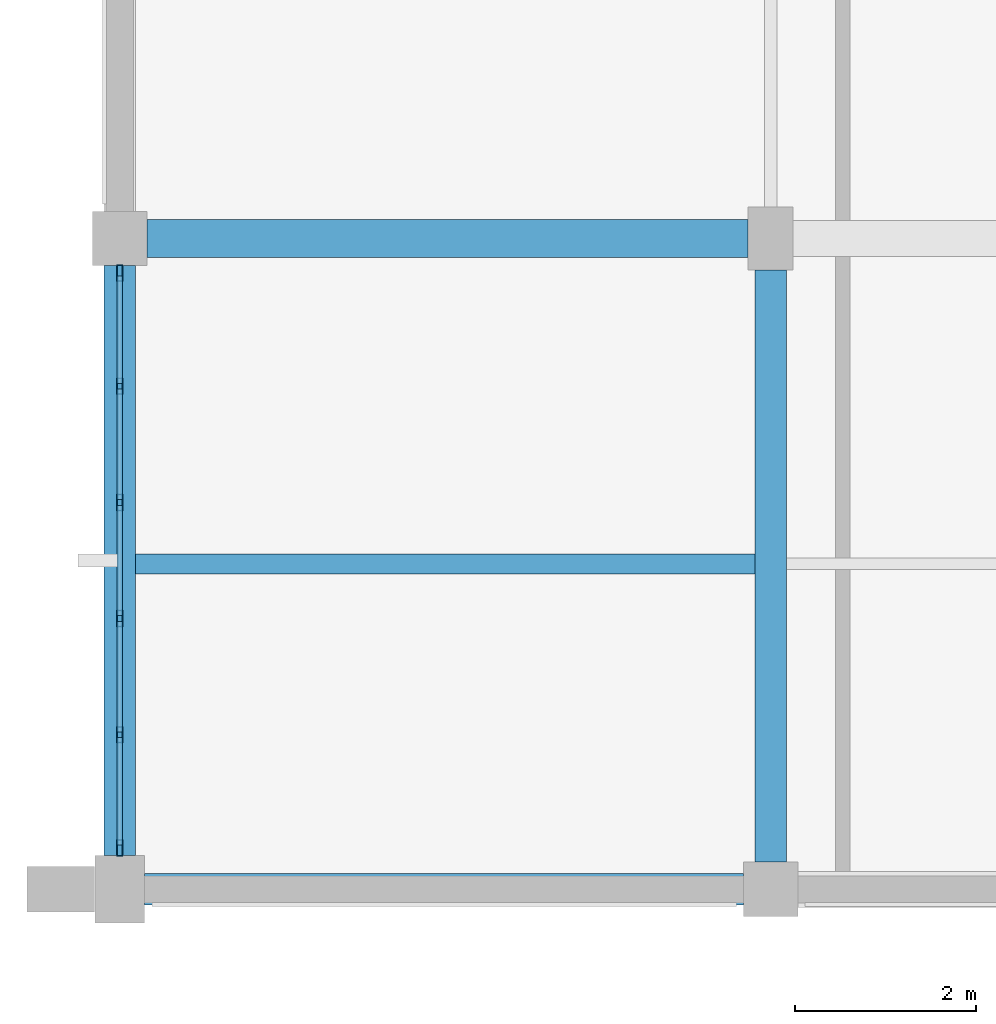
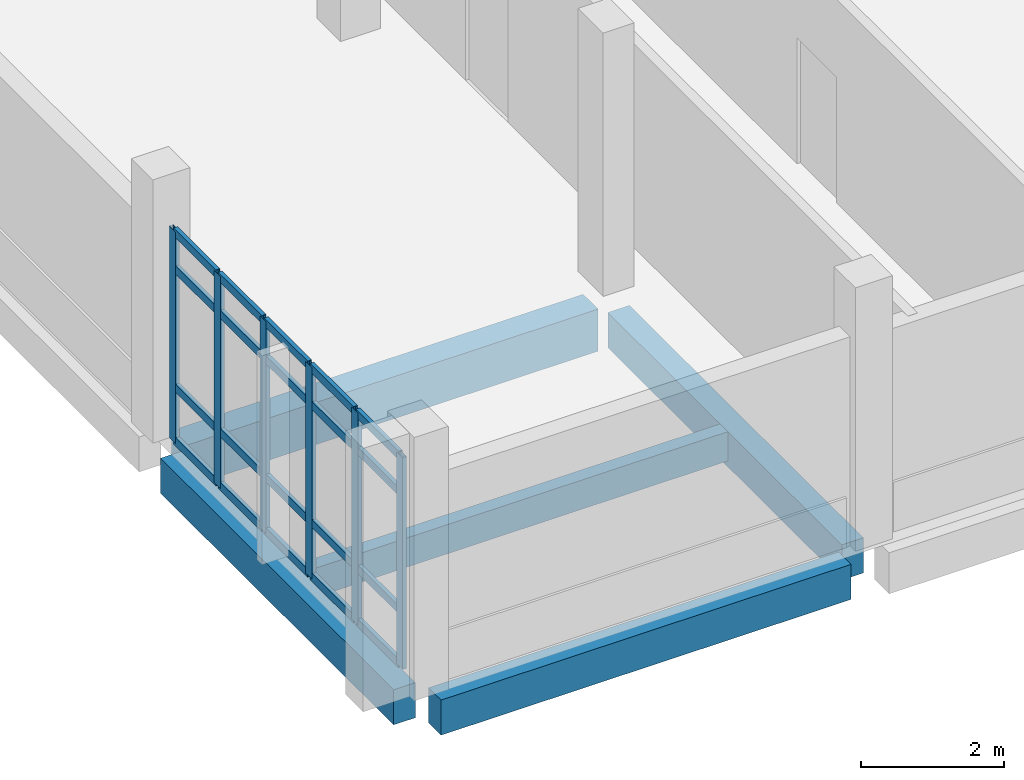
# One storey, part 9 of 116: 26 members, 5 beams, 1 element without a shape of its own.
"""IFC4 building model written with IfcOpenShell, lengths in metres."""

from ifc_helpers import new_model, si_unit, direction, frame, origin, origin_2d, place, context, subcontext, project, spatial, rectangle, hollow_rectangle, extrude, material, material_profile, profile_set, type_object, element, aggregate, save


model = new_model("IFC4")

# Units and contexts
model_context = context("Model", 3, precision=1e-05, world=origin(), true_north=direction((0.0, 1.0)))
body_context = subcontext(model_context, "Body", "Model", "MODEL_VIEW")
ifc_project = project(units=[si_unit("LENGTHUNIT", "METRE"), si_unit("AREAUNIT", "SQUARE_METRE"), si_unit("VOLUMEUNIT", "CUBIC_METRE"), si_unit("PLANEANGLEUNIT", "RADIAN"), si_unit("MASSUNIT", "GRAM", prefix="KILO")], contexts=[model_context])

# Site, building, storey
site_placement = place(None, origin())
site = spatial("IfcSite", under=ifc_project, at=site_placement, CompositionType="ELEMENT")
building_placement = place(site_placement, origin())
building = spatial("IfcBuilding", under=site, at=building_placement, Name="Kalluvel Institute of Natural Sciences", CompositionType="ELEMENT")
storey_placement = place(building_placement, frame((0.0, 0.0, 14.39990234375)))
storey = spatial("IfcBuildingStorey", under=building, at=storey_placement, Name="L03", CompositionType="ELEMENT", Elevation=14.39990234375)

# Beams
ifc_material_1 = material(Name="Concrete M40", Category="concrete")
ifc_material_profile_1 = material_profile(ifc_material_1, rectangle(XDim=0.35009765625, YDim=0.60009765625, at=origin_2d()), Name="RCB 350x600")
ifc_profile_set_1 = profile_set([ifc_material_profile_1], Name="Concrete M40")
beam_type_1 = type_object("IfcBeamType", Name="BM-RC350x600", PredefinedType="BEAM", material=ifc_profile_set_1)
beam_1_placement = place(storey_placement, frame((21.199951171875, 14.300048828125, -0.599853515625), z_axis=(0.0, 1.0, 0.0), x_axis=(-1.0, 0.0, 0.0)))
element("IfcBeam", 1, at=beam_1_placement, inside=storey, type_object=beam_type_1, Name="L03 girder GIR-L03-NS-X212-Y140", PredefinedType="BEAM", context=body_context, shape_type="SweptSolid", body=[
    extrude(rectangle(XDim=0.35009765625, YDim=0.60009765625, at=origin_2d()), origin(), (0.0, 0.0, 1.0), 6.550048828125),
])
ifc_material_profile_2 = material_profile(ifc_material_1, rectangle(XDim=0.419921875, YDim=0.719970703125, at=origin_2d()), Name="RCB 420x720")
ifc_profile_set_2 = profile_set([ifc_material_profile_2], Name="Concrete M40")
beam_type_2 = type_object("IfcBeamType", Name="BM-RC420x720", PredefinedType="BEAM", material=ifc_profile_set_2)
beam_2_placement = place(storey_placement, frame((14.300048828125, 21.199951171875, -0.659912109375), z_axis=(1.0, 0.0, 0.0), x_axis=(0.0, 1.0, 0.0)))
element("IfcBeam", 2, at=beam_2_placement, inside=storey, type_object=beam_type_2, Name="L03 girder GIR-L03-EW-X140-Y212", PredefinedType="BEAM", context=body_context, shape_type="SweptSolid", body=[
    extrude(rectangle(XDim=0.419921875, YDim=0.719970703125, at=origin_2d()), origin(), (0.0, 0.0, 1.0), 6.64990234375),
])

# Curtain wall, members
ifc_material_2 = material(Name="Aluminium AW-6063 T6", Category="aluminium")
curtain_wall_type = type_object("IfcCurtainWallType", Name="CW-DRY-45", PredefinedType="USERDEFINED", material=ifc_material_2)
curtain_wall_placement = place(storey_placement, origin())
curtain_wall = element("IfcCurtainWall", 3, at=curtain_wall_placement, inside=storey, type_object=curtain_wall_type, Name="L03 Gothic lancet curtain wall CWA-L03-X140-Y144", ObjectType="UNITISED LANCET FACADE", PredefinedType="USERDEFINED")
ifc_material_profile_3 = material_profile(ifc_material_2, hollow_rectangle(XDim=0.06494140625, YDim=0.179931640625, WallThickness=0.00439453125, at=origin_2d()), Name="CWM 65x180")
ifc_profile_set_3 = profile_set([ifc_material_profile_3], Name="Aluminium AW-6063 T6")
member_type_1 = type_object("IfcMemberType", Name="CWM-65x180", PredefinedType="MULLION", material=ifc_profile_set_3)
member_1_placement = place(storey_placement, frame((14.0, 14.45751953125, 0.0), z_axis=(0.0, 0.0, 1.0), x_axis=(-1.0, 0.0, 0.0)))
member_1 = element("IfcMember", 4, at=member_1_placement, type_object=member_type_1, Name="CW-03 mullion 1", PredefinedType="MULLION", context=body_context, shape_type="SweptSolid", body=[
    extrude(hollow_rectangle(XDim=0.06494140625, YDim=0.179931640625, WallThickness=0.00439453125, at=origin_2d()), origin(), (0.0, 0.0, 1.0), 3.6201171875),
])
member_2_placement = place(storey_placement, frame((14.0, 15.7099609375, 0.0), z_axis=(0.0, 0.0, 1.0), x_axis=(-1.0, 0.0, 0.0)))
member_2 = element("IfcMember", 5, at=member_2_placement, type_object=member_type_1, Name="CW-03 mullion 2", PredefinedType="MULLION", context=body_context, shape_type="SweptSolid", body=[
    extrude(hollow_rectangle(XDim=0.06494140625, YDim=0.179931640625, WallThickness=0.00439453125, at=origin_2d()), origin(), (0.0, 0.0, 1.0), 3.6201171875),
])
member_3_placement = place(storey_placement, frame((14.0, 16.9951171875, 0.0), z_axis=(0.0, 0.0, 1.0), x_axis=(-1.0, 0.0, 0.0)))
member_3 = element("IfcMember", 6, at=member_3_placement, type_object=member_type_1, Name="CW-03 mullion 3", PredefinedType="MULLION", context=body_context, shape_type="SweptSolid", body=[
    extrude(hollow_rectangle(XDim=0.06494140625, YDim=0.179931640625, WallThickness=0.00439453125, at=origin_2d()), origin(), (0.0, 0.0, 1.0), 3.6201171875),
])
member_4_placement = place(storey_placement, frame((14.0, 18.280029296875, 0.0), z_axis=(0.0, 0.0, 1.0), x_axis=(-1.0, 0.0, 0.0)))
member_4 = element("IfcMember", 7, at=member_4_placement, type_object=member_type_1, Name="CW-03 mullion 4", PredefinedType="MULLION", context=body_context, shape_type="SweptSolid", body=[
    extrude(hollow_rectangle(XDim=0.06494140625, YDim=0.179931640625, WallThickness=0.00439453125, at=origin_2d()), origin(), (0.0, 0.0, 1.0), 3.6201171875),
])
member_5_placement = place(storey_placement, frame((14.0, 19.56494140625, 0.0), z_axis=(0.0, 0.0, 1.0), x_axis=(-1.0, 0.0, 0.0)))
member_5 = element("IfcMember", 8, at=member_5_placement, type_object=member_type_1, Name="CW-03 mullion 5", PredefinedType="MULLION", context=body_context, shape_type="SweptSolid", body=[
    extrude(hollow_rectangle(XDim=0.06494140625, YDim=0.179931640625, WallThickness=0.00439453125, at=origin_2d()), origin(), (0.0, 0.0, 1.0), 3.6201171875),
])
member_6_placement = place(storey_placement, frame((14.0, 20.8173828125, 0.0), z_axis=(0.0, 0.0, 1.0), x_axis=(-1.0, 0.0, 0.0)))
member_6 = element("IfcMember", 9, at=member_6_placement, type_object=member_type_1, Name="CW-03 mullion 6", PredefinedType="MULLION", context=body_context, shape_type="SweptSolid", body=[
    extrude(hollow_rectangle(XDim=0.06494140625, YDim=0.179931640625, WallThickness=0.00439453125, at=origin_2d()), origin(), (0.0, 0.0, 1.0), 3.6201171875),
])
ifc_material_profile_4 = material_profile(ifc_material_2, hollow_rectangle(XDim=0.06494140625, YDim=0.139892578125, WallThickness=0.00439453125, at=origin_2d()), Name="CWT 65x140")
ifc_profile_set_4 = profile_set([ifc_material_profile_4], Name="Aluminium AW-6063 T6")
member_type_2 = type_object("IfcMemberType", Name="CWT-65x140", PredefinedType="USERDEFINED", material=ifc_profile_set_4)
member_7_placement = place(storey_placement, frame((14.0, 14.489990234375, 0.03271484375), z_axis=(0.0, 1.0, 0.0), x_axis=(-1.0, 0.0, 0.0)))
member_7 = element("IfcMember", 10, at=member_7_placement, type_object=member_type_2, Name="CW-03 transom 1.1", ObjectType="TRANSOM", PredefinedType="USERDEFINED", context=body_context, shape_type="SweptSolid", body=[
    extrude(hollow_rectangle(XDim=0.06494140625, YDim=0.139892578125, WallThickness=0.00439453125, at=origin_2d()), origin(), (0.0, 0.0, 1.0), 1.1875),
])
member_8_placement = place(storey_placement, frame((14.0, 14.489990234375, 0.9501953125), z_axis=(0.0, 1.0, 0.0), x_axis=(-1.0, 0.0, 0.0)))
member_8 = element("IfcMember", 11, at=member_8_placement, type_object=member_type_2, Name="CW-03 transom 1.2", ObjectType="TRANSOM", PredefinedType="USERDEFINED", context=body_context, shape_type="SweptSolid", body=[
    extrude(hollow_rectangle(XDim=0.06494140625, YDim=0.139892578125, WallThickness=0.00439453125, at=origin_2d()), origin(), (0.0, 0.0, 1.0), 1.1875),
])
member_9_placement = place(storey_placement, frame((14.0, 14.489990234375, 2.97021484375), z_axis=(0.0, 1.0, 0.0), x_axis=(-1.0, 0.0, 0.0)))
member_9 = element("IfcMember", 12, at=member_9_placement, type_object=member_type_2, Name="CW-03 transom 1.3", ObjectType="TRANSOM", PredefinedType="USERDEFINED", context=body_context, shape_type="SweptSolid", body=[
    extrude(hollow_rectangle(XDim=0.06494140625, YDim=0.139892578125, WallThickness=0.00439453125, at=origin_2d()), origin(), (0.0, 0.0, 1.0), 1.1875),
])
member_10_placement = place(storey_placement, frame((14.0, 14.489990234375, 3.587646484375), z_axis=(0.0, 1.0, 0.0), x_axis=(-1.0, 0.0, 0.0)))
member_10 = element("IfcMember", 13, at=member_10_placement, type_object=member_type_2, Name="CW-03 transom 1.4", ObjectType="TRANSOM", PredefinedType="USERDEFINED", context=body_context, shape_type="SweptSolid", body=[
    extrude(hollow_rectangle(XDim=0.06494140625, YDim=0.139892578125, WallThickness=0.00439453125, at=origin_2d()), origin(), (0.0, 0.0, 1.0), 1.1875),
])
member_11_placement = place(storey_placement, frame((14.0, 15.742431640625, 0.03271484375), z_axis=(0.0, 1.0, 0.0), x_axis=(-1.0, 0.0, 0.0)))
member_11 = element("IfcMember", 14, at=member_11_placement, type_object=member_type_2, Name="CW-03 transom 2.1", ObjectType="TRANSOM", PredefinedType="USERDEFINED", context=body_context, shape_type="SweptSolid", body=[
    extrude(hollow_rectangle(XDim=0.06494140625, YDim=0.139892578125, WallThickness=0.00439453125, at=origin_2d()), origin(), (0.0, 0.0, 1.0), 1.219970703125),
])
member_12_placement = place(storey_placement, frame((14.0, 15.742431640625, 0.9501953125), z_axis=(0.0, 1.0, 0.0), x_axis=(-1.0, 0.0, 0.0)))
member_12 = element("IfcMember", 15, at=member_12_placement, type_object=member_type_2, Name="CW-03 transom 2.2", ObjectType="TRANSOM", PredefinedType="USERDEFINED", context=body_context, shape_type="SweptSolid", body=[
    extrude(hollow_rectangle(XDim=0.06494140625, YDim=0.139892578125, WallThickness=0.00439453125, at=origin_2d()), origin(), (0.0, 0.0, 1.0), 1.219970703125),
])
member_13_placement = place(storey_placement, frame((14.0, 15.742431640625, 2.97021484375), z_axis=(0.0, 1.0, 0.0), x_axis=(-1.0, 0.0, 0.0)))
member_13 = element("IfcMember", 16, at=member_13_placement, type_object=member_type_2, Name="CW-03 transom 2.3", ObjectType="TRANSOM", PredefinedType="USERDEFINED", context=body_context, shape_type="SweptSolid", body=[
    extrude(hollow_rectangle(XDim=0.06494140625, YDim=0.139892578125, WallThickness=0.00439453125, at=origin_2d()), origin(), (0.0, 0.0, 1.0), 1.219970703125),
])
member_14_placement = place(storey_placement, frame((14.0, 15.742431640625, 3.587646484375), z_axis=(0.0, 1.0, 0.0), x_axis=(-1.0, 0.0, 0.0)))
member_14 = element("IfcMember", 17, at=member_14_placement, type_object=member_type_2, Name="CW-03 transom 2.4", ObjectType="TRANSOM", PredefinedType="USERDEFINED", context=body_context, shape_type="SweptSolid", body=[
    extrude(hollow_rectangle(XDim=0.06494140625, YDim=0.139892578125, WallThickness=0.00439453125, at=origin_2d()), origin(), (0.0, 0.0, 1.0), 1.219970703125),
])
member_15_placement = place(storey_placement, frame((14.0, 17.027587890625, 0.03271484375), z_axis=(0.0, 1.0, 0.0), x_axis=(-1.0, 0.0, 0.0)))
member_15 = element("IfcMember", 18, at=member_15_placement, type_object=member_type_2, Name="CW-03 transom 3.1", ObjectType="TRANSOM", PredefinedType="USERDEFINED", context=body_context, shape_type="SweptSolid", body=[
    extrude(hollow_rectangle(XDim=0.06494140625, YDim=0.139892578125, WallThickness=0.00439453125, at=origin_2d()), origin(), (0.0, 0.0, 1.0), 1.219970703125),
])
member_16_placement = place(storey_placement, frame((14.0, 17.027587890625, 0.9501953125), z_axis=(0.0, 1.0, 0.0), x_axis=(-1.0, 0.0, 0.0)))
member_16 = element("IfcMember", 19, at=member_16_placement, type_object=member_type_2, Name="CW-03 transom 3.2", ObjectType="TRANSOM", PredefinedType="USERDEFINED", context=body_context, shape_type="SweptSolid", body=[
    extrude(hollow_rectangle(XDim=0.06494140625, YDim=0.139892578125, WallThickness=0.00439453125, at=origin_2d()), origin(), (0.0, 0.0, 1.0), 1.219970703125),
])
member_17_placement = place(storey_placement, frame((14.0, 17.027587890625, 2.97021484375), z_axis=(0.0, 1.0, 0.0), x_axis=(-1.0, 0.0, 0.0)))
member_17 = element("IfcMember", 20, at=member_17_placement, type_object=member_type_2, Name="CW-03 transom 3.3", ObjectType="TRANSOM", PredefinedType="USERDEFINED", context=body_context, shape_type="SweptSolid", body=[
    extrude(hollow_rectangle(XDim=0.06494140625, YDim=0.139892578125, WallThickness=0.00439453125, at=origin_2d()), origin(), (0.0, 0.0, 1.0), 1.219970703125),
])
member_18_placement = place(storey_placement, frame((14.0, 17.027587890625, 3.587646484375), z_axis=(0.0, 1.0, 0.0), x_axis=(-1.0, 0.0, 0.0)))
member_18 = element("IfcMember", 21, at=member_18_placement, type_object=member_type_2, Name="CW-03 transom 3.4", ObjectType="TRANSOM", PredefinedType="USERDEFINED", context=body_context, shape_type="SweptSolid", body=[
    extrude(hollow_rectangle(XDim=0.06494140625, YDim=0.139892578125, WallThickness=0.00439453125, at=origin_2d()), origin(), (0.0, 0.0, 1.0), 1.219970703125),
])
member_19_placement = place(storey_placement, frame((14.0, 18.3125, 0.03271484375), z_axis=(0.0, 1.0, 0.0), x_axis=(-1.0, 0.0, 0.0)))
member_19 = element("IfcMember", 22, at=member_19_placement, type_object=member_type_2, Name="CW-03 transom 4.1", ObjectType="TRANSOM", PredefinedType="USERDEFINED", context=body_context, shape_type="SweptSolid", body=[
    extrude(hollow_rectangle(XDim=0.06494140625, YDim=0.139892578125, WallThickness=0.00439453125, at=origin_2d()), origin(), (0.0, 0.0, 1.0), 1.219970703125),
])
member_20_placement = place(storey_placement, frame((14.0, 18.3125, 0.9501953125), z_axis=(0.0, 1.0, 0.0), x_axis=(-1.0, 0.0, 0.0)))
member_20 = element("IfcMember", 23, at=member_20_placement, type_object=member_type_2, Name="CW-03 transom 4.2", ObjectType="TRANSOM", PredefinedType="USERDEFINED", context=body_context, shape_type="SweptSolid", body=[
    extrude(hollow_rectangle(XDim=0.06494140625, YDim=0.139892578125, WallThickness=0.00439453125, at=origin_2d()), origin(), (0.0, 0.0, 1.0), 1.219970703125),
])
member_21_placement = place(storey_placement, frame((14.0, 18.3125, 2.97021484375), z_axis=(0.0, 1.0, 0.0), x_axis=(-1.0, 0.0, 0.0)))
member_21 = element("IfcMember", 24, at=member_21_placement, type_object=member_type_2, Name="CW-03 transom 4.3", ObjectType="TRANSOM", PredefinedType="USERDEFINED", context=body_context, shape_type="SweptSolid", body=[
    extrude(hollow_rectangle(XDim=0.06494140625, YDim=0.139892578125, WallThickness=0.00439453125, at=origin_2d()), origin(), (0.0, 0.0, 1.0), 1.219970703125),
])
member_22_placement = place(storey_placement, frame((14.0, 18.3125, 3.587646484375), z_axis=(0.0, 1.0, 0.0), x_axis=(-1.0, 0.0, 0.0)))
member_22 = element("IfcMember", 25, at=member_22_placement, type_object=member_type_2, Name="CW-03 transom 4.4", ObjectType="TRANSOM", PredefinedType="USERDEFINED", context=body_context, shape_type="SweptSolid", body=[
    extrude(hollow_rectangle(XDim=0.06494140625, YDim=0.139892578125, WallThickness=0.00439453125, at=origin_2d()), origin(), (0.0, 0.0, 1.0), 1.219970703125),
])
member_23_placement = place(storey_placement, frame((14.0, 19.597412109375, 0.03271484375), z_axis=(0.0, 1.0, 0.0), x_axis=(-1.0, 0.0, 0.0)))
member_23 = element("IfcMember", 26, at=member_23_placement, type_object=member_type_2, Name="CW-03 transom 5.1", ObjectType="TRANSOM", PredefinedType="USERDEFINED", context=body_context, shape_type="SweptSolid", body=[
    extrude(hollow_rectangle(XDim=0.06494140625, YDim=0.139892578125, WallThickness=0.00439453125, at=origin_2d()), origin(), (0.0, 0.0, 1.0), 1.1875),
])
member_24_placement = place(storey_placement, frame((14.0, 19.597412109375, 0.9501953125), z_axis=(0.0, 1.0, 0.0), x_axis=(-1.0, 0.0, 0.0)))
member_24 = element("IfcMember", 27, at=member_24_placement, type_object=member_type_2, Name="CW-03 transom 5.2", ObjectType="TRANSOM", PredefinedType="USERDEFINED", context=body_context, shape_type="SweptSolid", body=[
    extrude(hollow_rectangle(XDim=0.06494140625, YDim=0.139892578125, WallThickness=0.00439453125, at=origin_2d()), origin(), (0.0, 0.0, 1.0), 1.1875),
])
member_25_placement = place(storey_placement, frame((14.0, 19.597412109375, 2.97021484375), z_axis=(0.0, 1.0, 0.0), x_axis=(-1.0, 0.0, 0.0)))
member_25 = element("IfcMember", 28, at=member_25_placement, type_object=member_type_2, Name="CW-03 transom 5.3", ObjectType="TRANSOM", PredefinedType="USERDEFINED", context=body_context, shape_type="SweptSolid", body=[
    extrude(hollow_rectangle(XDim=0.06494140625, YDim=0.139892578125, WallThickness=0.00439453125, at=origin_2d()), origin(), (0.0, 0.0, 1.0), 1.1875),
])
member_26_placement = place(storey_placement, frame((14.0, 19.597412109375, 3.587646484375), z_axis=(0.0, 1.0, 0.0), x_axis=(-1.0, 0.0, 0.0)))
member_26 = element("IfcMember", 29, at=member_26_placement, type_object=member_type_2, Name="CW-03 transom 5.4", ObjectType="TRANSOM", PredefinedType="USERDEFINED", context=body_context, shape_type="SweptSolid", body=[
    extrude(hollow_rectangle(XDim=0.06494140625, YDim=0.139892578125, WallThickness=0.00439453125, at=origin_2d()), origin(), (0.0, 0.0, 1.0), 1.1875),
])
aggregate(curtain_wall, [member_1, member_2, member_3, member_4, member_5, member_6, member_7, member_8, member_9, member_10, member_11, member_12, member_13, member_14, member_15, member_16, member_17, member_18, member_19, member_20, member_21, member_22, member_23, member_24, member_25, member_26])

# Beams
ifc_material_profile_5 = material_profile(ifc_material_1, rectangle(XDim=0.35009765625, YDim=0.60009765625, at=origin_2d()), Name="RCB 350x600")
ifc_profile_set_5 = profile_set([ifc_material_profile_5], Name="Concrete M40")
beam_type_3 = type_object("IfcBeamType", Name="SP-RC350x600", PredefinedType="SPANDREL", material=ifc_profile_set_5)
beam_3_placement = place(storey_placement, frame((14.27490234375, 14.0, -0.599853515625), z_axis=(1.0, 0.0, 0.0), x_axis=(0.0, 1.0, 0.0)))
element("IfcBeam", 30, at=beam_3_placement, inside=storey, type_object=beam_type_3, Name="L03 girder GIR-L03-EW-X140-Y140", PredefinedType="SPANDREL", context=body_context, shape_type="SweptSolid", body=[
    extrude(rectangle(XDim=0.35009765625, YDim=0.60009765625, at=origin_2d()), origin(), (0.0, 0.0, 1.0), 6.625),
])
beam_4_placement = place(storey_placement, frame((14.0, 14.375, -0.599853515625), z_axis=(0.0, 1.0, 0.0), x_axis=(-1.0, 0.0, 0.0)))
element("IfcBeam", 31, at=beam_4_placement, inside=storey, type_object=beam_type_3, Name="L03 girder GIR-L03-NS-X140-Y140", PredefinedType="SPANDREL", context=body_context, shape_type="SweptSolid", body=[
    extrude(rectangle(XDim=0.35009765625, YDim=0.60009765625, at=origin_2d()), origin(), (0.0, 0.0, 1.0), 6.52490234375),
])
ifc_material_profile_6 = material_profile(ifc_material_1, rectangle(XDim=0.219970703125, YDim=0.5, at=origin_2d()), Name="WAF 220x500")
ifc_profile_set_6 = profile_set([ifc_material_profile_6], Name="Concrete M40")
beam_type_4 = type_object("IfcBeamType", Name="WJ-220x500", PredefinedType="JOIST", material=ifc_profile_set_6)
beam_5_placement = place(storey_placement, frame((14.175048828125, 17.60009765625, -0.5498046875), z_axis=(1.0, 0.0, 0.0), x_axis=(0.0, 1.0, 0.0)))
element("IfcBeam", 32, at=beam_5_placement, inside=storey, type_object=beam_type_4, Name="L03 floor rib RIB-L03-0680", PredefinedType="JOIST", context=body_context, shape_type="SweptSolid", body=[
    extrude(rectangle(XDim=0.219970703125, YDim=0.5, at=origin_2d()), origin(), (0.0, 0.0, 1.0), 6.849853515625),
])

save(model, "model.ifc")
